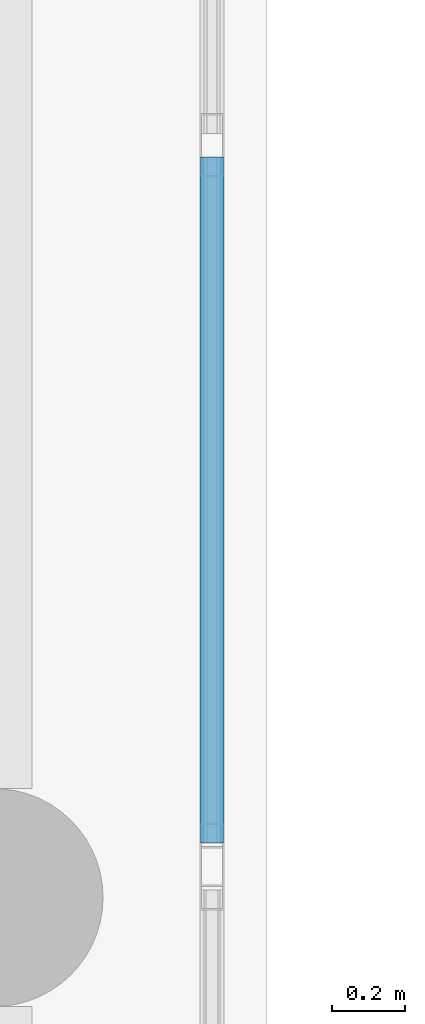
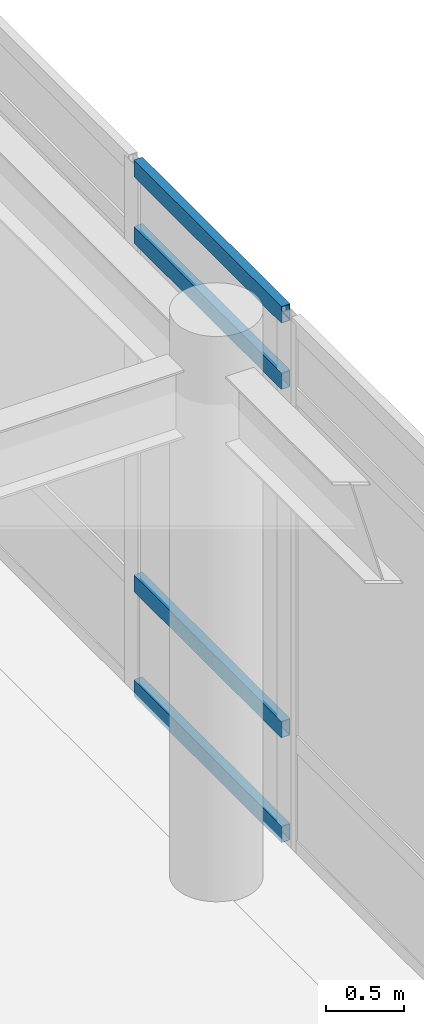
# One storey, part 34 of 142: 4 members, 1 element without a shape of its own.
"""IFC4 building model written with IfcOpenShell, lengths in metres."""

from ifc_helpers import new_model, si_unit, direction, frame, origin, origin_2d, place, context, subcontext, project, spatial, hollow_rectangle, extrude, material, layer, layer_set, material_profile, profile_set, type_object, element, aggregate, save


model = new_model("IFC4")

# Units and contexts
model_context = context("Model", 3, precision=1e-05, world=origin(), true_north=direction((0.0, 1.0)))
body_context = subcontext(model_context, "Body", "Model", "MODEL_VIEW")
ifc_project = project(units=[si_unit("LENGTHUNIT", "METRE"), si_unit("AREAUNIT", "SQUARE_METRE"), si_unit("VOLUMEUNIT", "CUBIC_METRE"), si_unit("PLANEANGLEUNIT", "RADIAN"), si_unit("MASSUNIT", "GRAM", prefix="KILO")], contexts=[model_context])

# Site, building, storey
site_placement = place(None, origin())
site = spatial("IfcSite", under=ifc_project, at=site_placement, CompositionType="ELEMENT")
building_placement = place(site_placement, origin())
building = spatial("IfcBuilding", under=site, at=building_placement, Name="Valcora Specialist Clinic", CompositionType="ELEMENT")
storey_placement = place(building_placement, frame((0.0, 0.0, 5.10009765625)))
storey = spatial("IfcBuildingStorey", under=building, at=storey_placement, Name="L01", CompositionType="ELEMENT", Elevation=5.10009765625)

# Curtain wall, members
ifc_material = material(Name="Anodized Bronze Aluminium 6063-T6", Category="aluminium")
ifc_layer = layer(ifc_material, 0.175048828125)
ifc_layer_set = layer_set([ifc_layer], Name="Anodized Bronze Aluminium 6063-T6")
curtain_wall_type = type_object("IfcCurtainWallType", Name="TY-CW-HAL18", PredefinedType="NOTDEFINED", material=ifc_layer_set)
curtain_wall_placement = place(storey_placement, origin())
curtain_wall = element("IfcCurtainWall", 1, at=curtain_wall_placement, inside=storey, type_object=curtain_wall_type, Name="Curtain wall CW-L01-010", PredefinedType="NOTDEFINED")
ifc_material_profile = material_profile(ifc_material, hollow_rectangle(XDim=0.06494140625, YDim=0.1298828125, WallThickness=0.00390625, at=origin_2d()), Name="AL-TRN-65X130")
ifc_profile_set = profile_set([ifc_material_profile], Name="Anodized Bronze Aluminium 6063-T6")
member_type = type_object("IfcMemberType", Name="TY-CWT-65X130", PredefinedType="USERDEFINED", material=ifc_profile_set)
member_1_placement = place(storey_placement, frame((29.85009765625, 63.931884765625, 0.032470703125), z_axis=(0.0, -1.0, 0.0), x_axis=(1.0, 0.0, 0.0)))
member_1 = element("IfcMember", 2, at=member_1_placement, type_object=member_type, Name="CW-HAL-18 transom 3.1", ObjectType="TRANSOM", PredefinedType="USERDEFINED", context=body_context, shape_type="SweptSolid", body=[
    extrude(hollow_rectangle(XDim=0.06494140625, YDim=0.1298828125, WallThickness=0.00390625, at=origin_2d()), origin(), (0.0, 0.0, 1.0), 1.88818359375),
])
member_2_placement = place(storey_placement, frame((29.85009765625, 63.931884765625, 0.849853515625), z_axis=(0.0, -1.0, 0.0), x_axis=(1.0, 0.0, 0.0)))
member_2 = element("IfcMember", 3, at=member_2_placement, type_object=member_type, Name="CW-HAL-18 transom 3.2", ObjectType="TRANSOM", PredefinedType="USERDEFINED", context=body_context, shape_type="SweptSolid", body=[
    extrude(hollow_rectangle(XDim=0.06494140625, YDim=0.1298828125, WallThickness=0.00390625, at=origin_2d()), origin(), (0.0, 0.0, 1.0), 1.88818359375),
])
member_3_placement = place(storey_placement, frame((29.85009765625, 63.931884765625, 3.56982421875), z_axis=(0.0, -1.0, 0.0), x_axis=(1.0, 0.0, 0.0)))
member_3 = element("IfcMember", 4, at=member_3_placement, type_object=member_type, Name="CW-HAL-18 transom 3.3", ObjectType="TRANSOM", PredefinedType="USERDEFINED", context=body_context, shape_type="SweptSolid", body=[
    extrude(hollow_rectangle(XDim=0.06494140625, YDim=0.1298828125, WallThickness=0.00390625, at=origin_2d()), origin(), (0.0, 0.0, 1.0), 1.88818359375),
])
member_4_placement = place(storey_placement, frame((29.85009765625, 63.931884765625, 4.08740234375), z_axis=(0.0, -1.0, 0.0), x_axis=(1.0, 0.0, 0.0)))
member_4 = element("IfcMember", 5, at=member_4_placement, type_object=member_type, Name="CW-HAL-18 transom 3.4", ObjectType="TRANSOM", PredefinedType="USERDEFINED", context=body_context, shape_type="SweptSolid", body=[
    extrude(hollow_rectangle(XDim=0.06494140625, YDim=0.1298828125, WallThickness=0.00390625, at=origin_2d()), origin(), (0.0, 0.0, 1.0), 1.88818359375),
])
aggregate(curtain_wall, [member_1, member_2, member_3, member_4])

save(model, "model.ifc")
